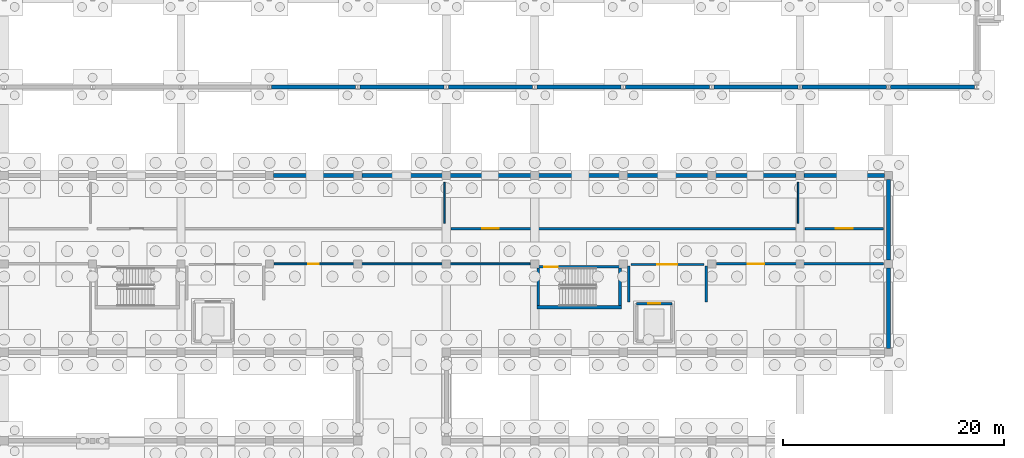
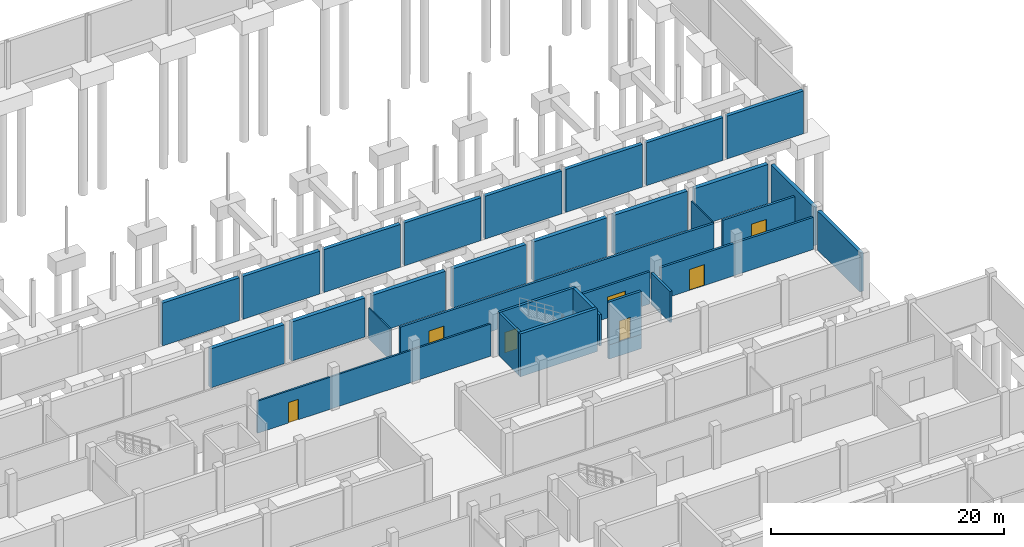
# One storey, part 45 of 51: 32 walls, 7 doors, 7 openings.
"""IFC4 building model written with IfcOpenShell, lengths in metres."""

from ifc_helpers import new_model, si_unit, direction, frame, frame_2d, origin, place, context, subcontext, project, spatial, rectangle, extrude, material, layer, layer_set, type_object, element, fill, save


model = new_model("IFC4")

# Units and contexts
model_context = context("Model", 3, precision=1e-05, world=origin(), true_north=direction((0.0, 1.0)))
body_context = subcontext(model_context, "Body", "Model", "MODEL_VIEW")
ifc_project = project(units=[si_unit("LENGTHUNIT", "METRE"), si_unit("AREAUNIT", "SQUARE_METRE"), si_unit("VOLUMEUNIT", "CUBIC_METRE"), si_unit("PLANEANGLEUNIT", "RADIAN"), si_unit("MASSUNIT", "GRAM", prefix="KILO")], contexts=[model_context])

# Site, building, storey
site_placement = place(None, origin())
site = spatial("IfcSite", under=ifc_project, at=site_placement, CompositionType="ELEMENT")
building_placement = place(site_placement, origin())
building = spatial("IfcBuilding", under=site, at=building_placement, Name="Jelvoka-Kovrelna Polytechnic", CompositionType="ELEMENT")
storey_placement = place(building_placement, frame((0.0, 0.0, -4.5)))
storey = spatial("IfcBuildingStorey", under=building, at=storey_placement, Name="B01", CompositionType="ELEMENT", Elevation=-4.5)

# Wall, opening, door
ifc_material_1 = material(Name="Concrete C35/45", Category="concrete")
ifc_layer_1 = layer(ifc_material_1, 0.219970703125)
ifc_layer_set_1 = layer_set([ifc_layer_1], Name="Concrete C35/45")
wall_type_1 = type_object("IfcWallType", Name="Wall_Compartment_220", PredefinedType="PARTITIONING", material=ifc_layer_set_1)
wall_1_placement = place(storey_placement, frame((168.699951171875, 63.949951171875, 0.0), z_axis=(0.0, 0.0, 1.0), x_axis=(1.0, 0.0, 0.0)))
wall_1 = element("IfcWall", 1, at=wall_1_placement, inside=storey, type_object=wall_type_1, Name="B01 interior wall 0332", PredefinedType="PARTITIONING", context=body_context, shape_type="SweptSolid", body=[
    extrude(rectangle(XDim=6.60009765625, YDim=0.219970703125, at=frame_2d((3.300048828125, 0.0))), origin(), (0.0, 0.0, 1.0), 3.3701171875),
])
opening_1_placement = place(wall_1_placement, frame((2.39990234375, 0.0, 0.0)))
opening_1 = element("IfcOpeningElement", 2, at=opening_1_placement, cuts=wall_1, Name="Opening FD-B01-073", PredefinedType="OPENING", context=body_context, shape_type="SweptSolid", body=[
    extrude(rectangle(XDim=1.800048828125, YDim=2.199951171875, at=frame_2d((0.89990234375, 1.10009765625))), frame((0.0, 0.119873046875, 0.0), z_axis=(0.0, -1.0, 0.0), x_axis=(1.0, 0.0, 0.0)), (0.0, 0.0, 1.0), 0.239990234375),
])
ifc_material_2 = material(Name="Paired steel corridor fire door", Category="steel")
door_type_1 = type_object("IfcDoorType", Name="Door_Fire_FD03", OperationType="NOTDEFINED", PredefinedType="DOOR", material=ifc_material_2)
door_1_placement = place(opening_1_placement, origin())
door_1 = element("IfcDoor", 3, at=door_1_placement, inside=storey, type_object=door_type_1, Name="B01 interior door FD-B01-073", OperationType="DOUBLE_DOOR_SINGLE_SWING", OverallHeight=2.199951171875, OverallWidth=1.800048828125, PredefinedType="DOOR", context=body_context, shape_type="SweptSolid", body=[
    extrude(rectangle(XDim=1.800048828125, YDim=2.199951171875, at=frame_2d((0.89990234375, 1.10009765625))), frame((0.0, 0.02490234375, 0.0), z_axis=(0.0, -1.0, 0.0), x_axis=(1.0, 0.0, 0.0)), (0.0, 0.0, 1.0), 0.050048828125),
])
fill(opening_1, door_1)

# Walls
for number, where, z_axis, x_axis, name in (
    (4, (168.5, 60.550048828125, 0.0), (0.0, 0.0, 1.0), (0.0, 1.0, 0.0), "B01 interior wall 0333"),
    (5, (175.5, 60.550048828125, 0.0), (0.0, 0.0, 1.0), (0.0, 1.0, 0.0), "B01 interior wall 0334"),
):
    element("IfcWall", number, at=place(storey_placement, frame(where, z_axis=z_axis, x_axis=x_axis)), inside=storey, type_object=wall_type_1, Name=name, PredefinedType="PARTITIONING", context=body_context, shape_type="SweptSolid", body=[
        extrude(rectangle(XDim=3.25, YDim=0.219970703125, at=frame_2d((1.625, 0.0))), origin(), (0.0, 0.0, 1.0), 3.27001953125),
    ])

# Wall, opening, door
wall_2_placement = place(storey_placement, frame((176.429931640625, 64.0, 0.0), z_axis=(0.0, 0.0, 1.0), x_axis=(1.0, 0.0, 0.0)))
wall_2 = element("IfcWall", 6, at=wall_2_placement, inside=storey, type_object=wall_type_1, Name="B01 interior wall 0835", PredefinedType="PARTITIONING", context=body_context, shape_type="SweptSolid", body=[
    extrude(rectangle(XDim=15.14013671875, YDim=0.219970703125, at=frame_2d((7.570068359375, 0.0))), origin(), (0.0, 0.0, 1.0), 3.3701171875),
])
opening_2_placement = place(wall_2_placement, frame((2.820068359375, 0.0, 0.0)))
opening_2 = element("IfcOpeningElement", 7, at=opening_2_placement, cuts=wall_2, Name="Opening D-B01-144", PredefinedType="OPENING", context=body_context, shape_type="SweptSolid", body=[
    extrude(rectangle(XDim=1.5, YDim=2.199951171875, at=frame_2d((0.75, 1.10009765625))), frame((0.0, 0.119873046875, 0.0), z_axis=(0.0, -1.0, 0.0), x_axis=(1.0, 0.0, 0.0)), (0.0, 0.0, 1.0), 0.239990234375),
])
ifc_material_3 = material(Name="Paired steel stair lobby fire door", Category="steel")
door_type_2 = type_object("IfcDoorType", Name="Door_Fire_FD04", OperationType="NOTDEFINED", PredefinedType="DOOR", material=ifc_material_3)
door_2_placement = place(opening_2_placement, origin())
door_2 = element("IfcDoor", 8, at=door_2_placement, inside=storey, type_object=door_type_2, Name="B01 interior door D-B01-144", OperationType="DOUBLE_DOOR_SINGLE_SWING", OverallHeight=2.199951171875, OverallWidth=1.5, PredefinedType="DOOR", context=body_context, shape_type="SweptSolid", body=[
    extrude(rectangle(XDim=1.5, YDim=2.199951171875, at=frame_2d((0.75, 1.10009765625))), frame((0.0, 0.02490234375, 0.0), z_axis=(0.0, -1.0, 0.0), x_axis=(1.0, 0.0, 0.0)), (0.0, 0.0, 1.0), 0.050048828125),
])
fill(opening_2, door_2)

wall_3_placement = place(storey_placement, frame((152.429931640625, 67.199951171875, 0.0), z_axis=(0.0, 0.0, 1.0), x_axis=(1.0, 0.0, 0.0)))
wall_3 = element("IfcWall", 9, at=wall_3_placement, inside=storey, type_object=wall_type_1, Name="B01 interior wall 0841", PredefinedType="PARTITIONING", context=body_context, shape_type="SweptSolid", body=[
    extrude(rectangle(XDim=31.14013671875, YDim=0.219970703125, at=frame_2d((15.570068359375, 0.0))), origin(), (0.0, 0.0, 1.0), 3.60009765625),
])
opening_3_placement = place(wall_3_placement, frame((2.820068359375, 0.0, 0.0)))
opening_3 = element("IfcOpeningElement", 10, at=opening_3_placement, cuts=wall_3, Name="Opening D-B01-148", PredefinedType="OPENING", context=body_context, shape_type="SweptSolid", body=[
    extrude(rectangle(XDim=1.5, YDim=2.199951171875, at=frame_2d((0.75, 1.10009765625))), frame((0.0, 0.119873046875, 0.0), z_axis=(0.0, -1.0, 0.0), x_axis=(1.0, 0.0, 0.0)), (0.0, 0.0, 1.0), 0.239990234375),
])
door_3_placement = place(opening_3_placement, origin())
door_3 = element("IfcDoor", 11, at=door_3_placement, inside=storey, type_object=door_type_2, Name="B01 interior door D-B01-148", OperationType="DOUBLE_DOOR_SINGLE_SWING", OverallHeight=2.199951171875, OverallWidth=1.5, PredefinedType="DOOR", context=body_context, shape_type="SweptSolid", body=[
    extrude(rectangle(XDim=1.5, YDim=2.199951171875, at=frame_2d((0.75, 1.10009765625))), frame((0.0, 0.02490234375, 0.0), z_axis=(0.0, -1.0, 0.0), x_axis=(1.0, 0.0, 0.0)), (0.0, 0.0, 1.0), 0.050048828125),
])
fill(opening_3, door_3)

wall_4_placement = place(storey_placement, frame((184.429931640625, 67.199951171875, 0.0), z_axis=(0.0, 0.0, 1.0), x_axis=(1.0, 0.0, 0.0)))
wall_4 = element("IfcWall", 12, at=wall_4_placement, inside=storey, type_object=wall_type_1, Name="B01 interior wall 0843", PredefinedType="PARTITIONING", context=body_context, shape_type="SweptSolid", body=[
    extrude(rectangle(XDim=7.14013671875, YDim=0.219970703125, at=frame_2d((3.570068359375, 0.0))), origin(), (0.0, 0.0, 1.0), 3.60009765625),
])
opening_4_placement = place(wall_4_placement, frame((2.820068359375, 0.0, 0.0)))
opening_4 = element("IfcOpeningElement", 13, at=opening_4_placement, cuts=wall_4, Name="Opening D-B01-149", PredefinedType="OPENING", context=body_context, shape_type="SweptSolid", body=[
    extrude(rectangle(XDim=1.5, YDim=2.199951171875, at=frame_2d((0.75, 1.10009765625))), frame((0.0, 0.119873046875, 0.0), z_axis=(0.0, -1.0, 0.0), x_axis=(1.0, 0.0, 0.0)), (0.0, 0.0, 1.0), 0.239990234375),
])
door_4_placement = place(opening_4_placement, origin())
door_4 = element("IfcDoor", 14, at=door_4_placement, inside=storey, type_object=door_type_2, Name="B01 interior door D-B01-149", OperationType="DOUBLE_DOOR_SINGLE_SWING", OverallHeight=2.199951171875, OverallWidth=1.5, PredefinedType="DOOR", context=body_context, shape_type="SweptSolid", body=[
    extrude(rectangle(XDim=1.5, YDim=2.199951171875, at=frame_2d((0.75, 1.10009765625))), frame((0.0, 0.02490234375, 0.0), z_axis=(0.0, -1.0, 0.0), x_axis=(1.0, 0.0, 0.0)), (0.0, 0.0, 1.0), 0.050048828125),
])
fill(opening_4, door_4)

ifc_material_4 = material(Name="Concrete C40/50", Category="concrete")
ifc_layer_2 = layer(ifc_material_4, 0.25)
ifc_layer_set_2 = layer_set([ifc_layer_2], Name="Concrete C40/50")
wall_type_2 = type_object("IfcWallType", Name="Wall_Core_250", PredefinedType="SOLIDWALL", material=ifc_layer_set_2)
wall_5_placement = place(storey_placement, frame((160.199951171875, 63.739990234375, 0.0), z_axis=(0.0, 0.0, 1.0), x_axis=(1.0, 0.0, 0.0)))
wall_5 = element("IfcWall", 15, at=wall_5_placement, inside=storey, type_object=wall_type_2, Name="B01 interior wall 0183", PredefinedType="SOLIDWALL", context=body_context, shape_type="SweptSolid", body=[
    extrude(rectangle(XDim=7.650146484375, YDim=0.25, at=frame_2d((3.8251953125, 0.0))), origin(), (0.0, 0.0, 1.0), 4.5),
])
opening_5_placement = place(wall_5_placement, frame((0.64990234375, 0.0, 0.0)))
opening_5 = element("IfcOpeningElement", 16, at=opening_5_placement, cuts=wall_5, Name="Opening SD-B01-046", PredefinedType="OPENING", context=body_context, shape_type="SweptSolid", body=[
    extrude(rectangle(XDim=1.25, YDim=2.14990234375, at=frame_2d((0.625, 1.074951171875))), frame((0.0, 0.135009765625, 0.0), z_axis=(0.0, -1.0, 0.0), x_axis=(1.0, 0.0, 0.0)), (0.0, 0.0, 1.0), 0.27001953125),
])
ifc_material_5 = material(Name="Powder-coated steel fire door", Category="steel")
door_type_3 = type_object("IfcDoorType", Name="Door_Fire_FD02", OperationType="NOTDEFINED", PredefinedType="DOOR", material=ifc_material_5)
door_5_placement = place(opening_5_placement, origin())
door_5 = element("IfcDoor", 17, at=door_5_placement, inside=storey, type_object=door_type_3, Name="B01 interior door SD-B01-046", OperationType="SINGLE_SWING_LEFT", OverallHeight=2.14990234375, OverallWidth=1.25, PredefinedType="DOOR", context=body_context, shape_type="SweptSolid", body=[
    extrude(rectangle(XDim=1.25, YDim=2.14990234375, at=frame_2d((0.625, 1.074951171875))), frame((0.0, 0.02490234375, 0.0), z_axis=(0.0, -1.0, 0.0), x_axis=(1.0, 0.0, 0.0)), (0.0, 0.0, 1.0), 0.050048828125),
])
fill(opening_5, door_5)

# Walls
wall_6_placement = place(storey_placement, frame((160.324951171875, 60.25, 0.0), z_axis=(0.0, 0.0, 1.0), x_axis=(0.0, 1.0, 0.0)))
element("IfcWall", 18, at=wall_6_placement, inside=storey, type_object=wall_type_2, Name="B01 interior wall 0184", PredefinedType="SOLIDWALL", context=body_context, shape_type="SweptSolid", body=[
    extrude(rectangle(XDim=3.360107421875, YDim=0.25, at=frame_2d((1.68017578125, 0.0))), origin(), (0.0, 0.0, 1.0), 4.5),
])
wall_7_placement = place(storey_placement, frame((172.39990234375, 60.39990234375, -1.5), z_axis=(0.0, 0.0, 1.0), x_axis=(-1.0, 0.0, 0.0)))
element("IfcWall", 19, at=wall_7_placement, inside=storey, type_object=wall_type_2, Name="B01 interior wall 0326", PredefinedType="SOLIDWALL", context=body_context, shape_type="SweptSolid", body=[
    extrude(rectangle(XDim=3.199951171875, YDim=0.25, at=frame_2d((1.60009765625, 0.0))), origin(), (0.0, 0.0, 1.0), 1.5),
])

# Wall, opening, door
wall_8_placement = place(storey_placement, frame((169.199951171875, 60.39990234375, 0.0), z_axis=(0.0, 0.0, 1.0), x_axis=(1.0, 0.0, 0.0)))
wall_8 = element("IfcWall", 20, at=wall_8_placement, inside=storey, type_object=wall_type_2, Name="B01 interior wall 0329", PredefinedType="SOLIDWALL", context=body_context, shape_type="SweptSolid", body=[
    extrude(rectangle(XDim=3.199951171875, YDim=0.25, at=frame_2d((1.60009765625, 0.0))), origin(), (0.0, 0.0, 1.0), 4.5),
])
opening_6_placement = place(wall_8_placement, frame((1.050048828125, 0.0, 0.0)))
opening_6 = element("IfcOpeningElement", 21, at=opening_6_placement, cuts=wall_8, Name="Opening LD-B01-10", PredefinedType="OPENING", context=body_context, shape_type="SweptSolid", body=[
    extrude(rectangle(XDim=1.10009765625, YDim=2.14990234375, at=frame_2d((0.550048828125, 1.074951171875))), frame((0.0, 0.135009765625, 0.0), z_axis=(0.0, -1.0, 0.0), x_axis=(1.0, 0.0, 0.0)), (0.0, 0.0, 1.0), 0.27001953125),
])
ifc_material_6 = material(Name="Brushed stainless steel sliding landing door", Category="steel")
door_type_4 = type_object("IfcDoorType", Name="Door_Lift_LD01", OperationType="NOTDEFINED", PredefinedType="DOOR", material=ifc_material_6)
door_6_placement = place(opening_6_placement, origin())
door_6 = element("IfcDoor", 22, at=door_6_placement, inside=storey, type_object=door_type_4, Name="B01 lift landing sliding door LD-B01-10", OperationType="DOUBLE_DOOR_SLIDING", OverallHeight=2.14990234375, OverallWidth=1.10009765625, PredefinedType="DOOR", context=body_context, shape_type="SweptSolid", body=[
    extrude(rectangle(XDim=1.10009765625, YDim=2.14990234375, at=frame_2d((0.550048828125, 1.074951171875))), frame((0.0, 0.02490234375, 0.0), z_axis=(0.0, -1.0, 0.0), x_axis=(1.0, 0.0, 0.0)), (0.0, 0.0, 1.0), 0.050048828125),
])
fill(opening_6, door_6)

ifc_material_7 = material(Name="Autoclaved aerated concrete blockwork", Category="masonry")
ifc_layer_3 = layer(ifc_material_7, 0.179931640625)
ifc_layer_set_3 = layer_set([ifc_layer_3], Name="Autoclaved aerated concrete blockwork")
wall_type_3 = type_object("IfcWallType", Name="Wall_Corridor_180", PredefinedType="PARTITIONING", material=ifc_layer_set_3)
wall_9_placement = place(storey_placement, frame((136.429931640625, 64.0, 0.0), z_axis=(0.0, 0.0, 1.0), x_axis=(1.0, 0.0, 0.0)))
wall_9 = element("IfcWall", 23, at=wall_9_placement, inside=storey, type_object=wall_type_3, Name="B01 interior wall 0834", PredefinedType="PARTITIONING", context=body_context, shape_type="SweptSolid", body=[
    extrude(rectangle(XDim=23.14013671875, YDim=0.179931640625, at=frame_2d((11.570068359375, 0.0))), origin(), (0.0, 0.0, 1.0), 3.3701171875),
])
opening_7_placement = place(wall_9_placement, frame((3.090087890625, 0.0, 0.0)))
opening_7 = element("IfcOpeningElement", 24, at=opening_7_placement, cuts=wall_9, Name="Opening D-B01-143", PredefinedType="OPENING", context=body_context, shape_type="SweptSolid", body=[
    extrude(rectangle(XDim=0.9599609375, YDim=2.14990234375, at=frame_2d((0.47998046875, 1.074951171875))), frame((0.0, 0.099853515625, 0.0), z_axis=(0.0, -1.0, 0.0), x_axis=(1.0, 0.0, 0.0)), (0.0, 0.0, 1.0), 0.199951171875),
])
ifc_material_8 = material(Name="Hardwood solid-core door", Category="wood")
door_type_5 = type_object("IfcDoorType", Name="Door_Int_D07", OperationType="NOTDEFINED", PredefinedType="DOOR", material=ifc_material_8)
door_7_placement = place(opening_7_placement, origin())
door_7 = element("IfcDoor", 25, at=door_7_placement, inside=storey, type_object=door_type_5, Name="B01 interior door D-B01-143", OperationType="SINGLE_SWING_LEFT", OverallHeight=2.14990234375, OverallWidth=0.9599609375, PredefinedType="DOOR", context=body_context, shape_type="SweptSolid", body=[
    extrude(rectangle(XDim=0.9599609375, YDim=2.14990234375, at=frame_2d((0.47998046875, 1.074951171875))), frame((0.0, 0.02490234375, 0.0), z_axis=(0.0, -1.0, 0.0), x_axis=(1.0, 0.0, 0.0)), (0.0, 0.0, 1.0), 0.050048828125),
])
fill(opening_7, door_7)

# Walls
ifc_material_9 = material(Name="Acoustic gypsum stud partition")
ifc_layer_4 = layer(ifc_material_9, 0.125)
ifc_layer_set_4 = layer_set([ifc_layer_4], Name="Acoustic gypsum stud partition")
wall_type_4 = type_object("IfcWallType", Name="Wall_Partition_125", PredefinedType="PARTITIONING", material=ifc_layer_set_4)
for number, where, z_axis, x_axis, name in (
    (26, (151.820068359375, 67.669921875, 0.0), (0.0, 0.0, 1.0), (0.0, 1.0, 0.0), "B01 interior wall 0840"),
    (27, (183.820068359375, 67.669921875, 0.0), (0.0, 0.0, 1.0), (0.0, 1.0, 0.0), "B01 interior wall 0842"),
):
    element("IfcWall", number, at=place(storey_placement, frame(where, z_axis=z_axis, x_axis=x_axis)), inside=storey, type_object=wall_type_4, Name=name, PredefinedType="PARTITIONING", context=body_context, shape_type="SweptSolid", body=[
        extrude(rectangle(XDim=3.7099609375, YDim=0.125, at=frame_2d((1.85498046875, 0.0))), origin(), (0.0, 0.0, 1.0), 3.27001953125),
    ])
ifc_material_10 = material(Name="Concrete C35/45", Category="concrete")
ifc_layer_5 = layer(ifc_material_10, 0.35009765625)
ifc_layer_set_5 = layer_set([ifc_layer_5], Name="Concrete C35/45")
wall_type_5 = type_object("IfcWallType", Name="Wall_Retaining_350", PredefinedType="USERDEFINED", material=ifc_layer_set_5)
for number, where, z_axis, x_axis, name in (
    (28, (192.0, 63.64990234375, 0.0), (0.0, 0.0, 1.0), (0.0, -1.0, 0.0), "B01 exterior wall 0104"),
    (29, (192.0, 71.64990234375, 0.0), (0.0, 0.0, 1.0), (0.0, -1.0, 0.0), "B01 exterior wall 0106"),
):
    element("IfcWall", number, at=place(storey_placement, frame(where, z_axis=z_axis, x_axis=x_axis)), inside=storey, type_object=wall_type_5, Name=name, ObjectType="RETAININGWALL", PredefinedType="USERDEFINED", context=body_context, shape_type="SweptSolid", body=[
        extrude(rectangle(XDim=7.2998046875, YDim=0.35009765625, at=frame_2d((3.64990234375, 0.0))), origin(), (0.0, 0.0, 1.0), 4.094970703125),
    ])
for number, where, z_axis, x_axis, name in (
    (30, (136.1962890625, 80.0, -0.405029296875), (0.0, 0.0, 1.0), (1.0, 0.0, 0.0), "B01 exterior wall 0207"),
    (31, (144.1962890625, 80.0, -0.405029296875), (0.0, 0.0, 1.0), (1.0, 0.0, 0.0), "B01 exterior wall 0208"),
    (32, (152.1962890625, 80.0, -0.405029296875), (0.0, 0.0, 1.0), (1.0, 0.0, 0.0), "B01 exterior wall 0209"),
    (33, (160.1962890625, 80.0, -0.405029296875), (0.0, 0.0, 1.0), (1.0, 0.0, 0.0), "B01 exterior wall 0210"),
    (34, (168.1962890625, 80.0, -0.405029296875), (0.0, 0.0, 1.0), (1.0, 0.0, 0.0), "B01 exterior wall 0211"),
    (35, (176.1962890625, 80.0, -0.405029296875), (0.0, 0.0, 1.0), (1.0, 0.0, 0.0), "B01 exterior wall 0212"),
    (36, (184.1962890625, 80.0, -0.405029296875), (0.0, 0.0, 1.0), (1.0, 0.0, 0.0), "B01 exterior wall 0213"),
):
    element("IfcWall", number, at=place(storey_placement, frame(where, z_axis=z_axis, x_axis=x_axis)), inside=storey, type_object=wall_type_5, Name=name, ObjectType="RETAININGWALL", PredefinedType="USERDEFINED", context=body_context, shape_type="SweptSolid", body=[
        extrude(rectangle(XDim=7.607421875, YDim=0.35009765625, at=frame_2d((3.8037109375, 0.0))), origin(), (0.0, 0.0, 1.0), 4.4951171875),
    ])
wall_10_placement = place(storey_placement, frame((192.1962890625, 80.0, -0.405029296875), z_axis=(0.0, 0.0, 1.0), x_axis=(1.0, 0.0, 0.0)))
element("IfcWall", 37, at=wall_10_placement, inside=storey, type_object=wall_type_5, Name="B01 exterior wall 0214", ObjectType="RETAININGWALL", PredefinedType="USERDEFINED", context=body_context, shape_type="SweptSolid", body=[
    extrude(rectangle(XDim=7.583740234375, YDim=0.35009765625, at=frame_2d((3.7919921875, 0.0))), origin(), (0.0, 0.0, 1.0), 4.4951171875),
])
ifc_material_11 = material(Name="Concrete C35/45", Category="concrete")
ifc_layer_6 = layer(ifc_material_11, 0.39990234375)
ifc_layer_set_6 = layer_set([ifc_layer_6], Name="Concrete C35/45")
wall_type_6 = type_object("IfcWallType", Name="Wall_Retaining_400", PredefinedType="USERDEFINED", material=ifc_layer_set_6)
for number, where, z_axis, x_axis, name in (
    (38, (136.35009765625, 72.0, 0.0), (0.0, 0.0, 1.0), (1.0, 0.0, 0.0), "B01 exterior wall 0091"),
    (39, (144.35009765625, 72.0, 0.0), (0.0, 0.0, 1.0), (1.0, 0.0, 0.0), "B01 exterior wall 0092"),
    (40, (152.35009765625, 72.0, 0.0), (0.0, 0.0, 1.0), (1.0, 0.0, 0.0), "B01 exterior wall 0094"),
    (41, (160.35009765625, 72.0, 0.0), (0.0, 0.0, 1.0), (1.0, 0.0, 0.0), "B01 exterior wall 0096"),
    (42, (168.35009765625, 72.0, 0.0), (0.0, 0.0, 1.0), (1.0, 0.0, 0.0), "B01 exterior wall 0098"),
    (43, (176.35009765625, 72.0, 0.0), (0.0, 0.0, 1.0), (1.0, 0.0, 0.0), "B01 exterior wall 0100"),
    (44, (184.35009765625, 72.0, 0.0), (0.0, 0.0, 1.0), (1.0, 0.0, 0.0), "B01 exterior wall 0102"),
):
    element("IfcWall", number, at=place(storey_placement, frame(where, z_axis=z_axis, x_axis=x_axis)), inside=storey, type_object=wall_type_6, Name=name, ObjectType="RETAININGWALL", PredefinedType="USERDEFINED", context=body_context, shape_type="SweptSolid", body=[
        extrude(rectangle(XDim=7.2998046875, YDim=0.39990234375, at=frame_2d((3.64990234375, 0.0))), origin(), (0.0, 0.0, 1.0), 4.094970703125),
    ])
ifc_material_12 = material(Name="Concrete C40/50", Category="concrete")
ifc_layer_7 = layer(ifc_material_12, 0.300048828125)
ifc_layer_set_7 = layer_set([ifc_layer_7], Name="Concrete C40/50")
wall_type_7 = type_object("IfcWallType", Name="Wall_Shear_300", PredefinedType="SHEAR", material=ifc_layer_set_7)
wall_11_placement = place(storey_placement, frame((160.199951171875, 60.090087890625, 0.0), z_axis=(0.0, 0.0, 1.0), x_axis=(1.0, 0.0, 0.0)))
element("IfcWall", 45, at=wall_11_placement, inside=storey, type_object=wall_type_7, Name="B01 interior wall 0181", PredefinedType="SHEAR", context=body_context, shape_type="SweptSolid", body=[
    extrude(rectangle(XDim=7.650146484375, YDim=0.300048828125, at=frame_2d((3.8251953125, 0.0))), origin(), (0.0, 0.0, 1.0), 4.5),
])
wall_12_placement = place(storey_placement, frame((167.7099609375, 60.25, 0.0), z_axis=(0.0, 0.0, 1.0), x_axis=(0.0, 1.0, 0.0)))
element("IfcWall", 46, at=wall_12_placement, inside=storey, type_object=wall_type_7, Name="B01 interior wall 0182", PredefinedType="SHEAR", context=body_context, shape_type="SweptSolid", body=[
    extrude(rectangle(XDim=3.360107421875, YDim=0.300048828125, at=frame_2d((1.68017578125, 0.0))), origin(), (0.0, 0.0, 1.0), 4.5),
])

save(model, "model.ifc")
